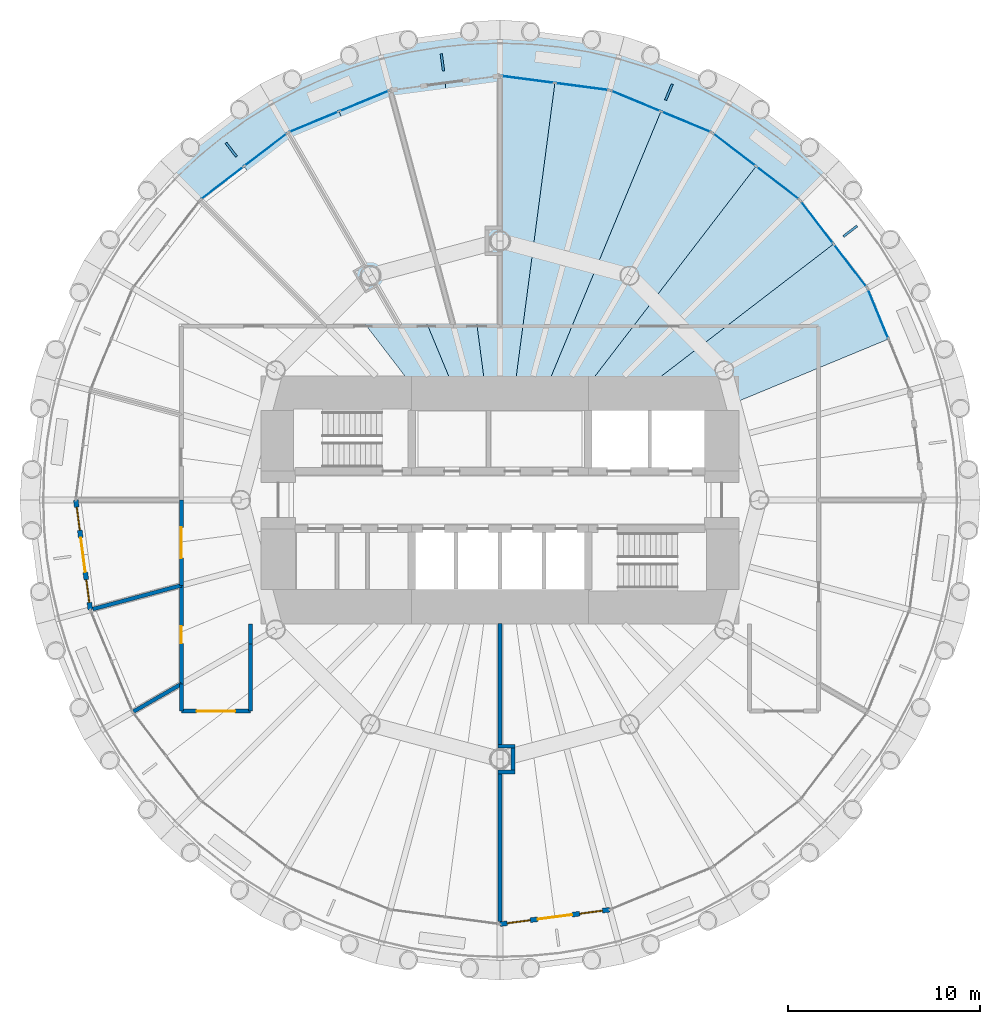
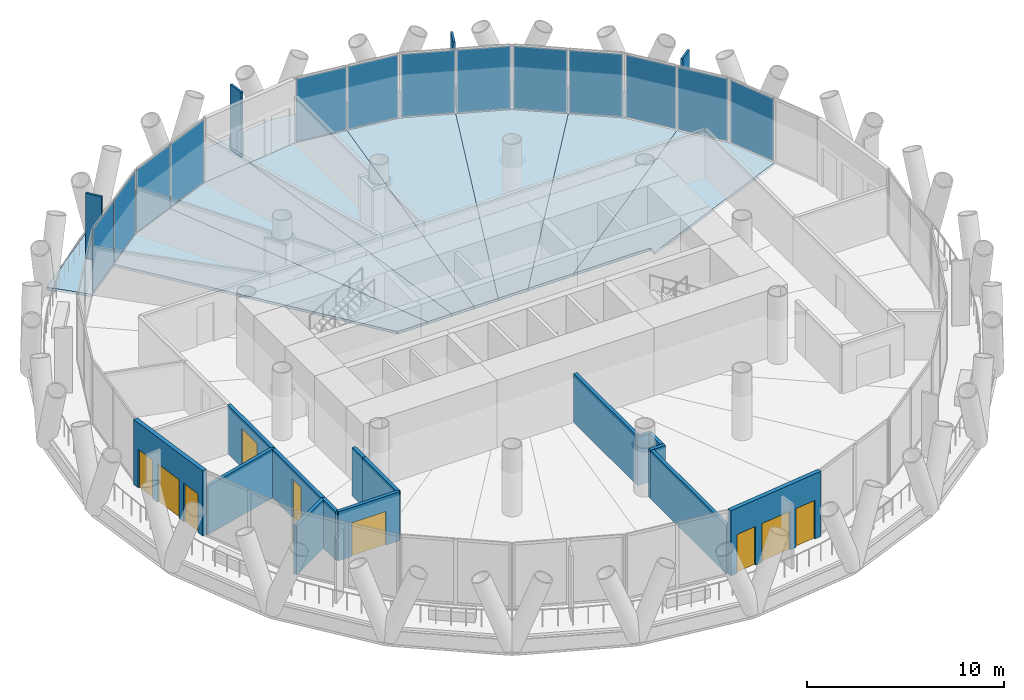
# One storey, part 8 of 15: 17 plates, 15 walls, 8 slabs, 5 doors, 4 windows, 9 openings, 7 elements without a shape of their own.
"""IFC4 building model written with IfcOpenShell, lengths in metres."""

import ifcopenshell
import ifcopenshell.guid

model = None  # the IFC model being written
_history = None  # IfcOwnerHistory: only IFC2X3 demands one
_inside = {}  # id of a spatial element -> (the spatial element, [elements in it])
_under = {}  # id of a project, library or spatial element -> (it, [spatial elements below it])
_declared = {}  # id of a project -> (the project, [libraries it declares])
_typed = {}  # id of a type object -> (the type object, [elements of that type])
_made_of = {}  # id of a material, layer set ... -> (it, [elements and type objects made of it])


def new_model(schema):
    """Start an empty IFC model of exactly this schema.

    Asked for "IFC4X3", IfcOpenShell would pick the latest addendum, in which some entities
    have other attributes; the version numbers below select the first issue.
    IFC2X3 requires an IfcOwnerHistory on every rooted entity: one is made here for all.
    """
    global model, _history
    if schema == "IFC4X3":
        model = ifcopenshell.file(schema_version=(4, 3, 0, 0))
    else:
        model = ifcopenshell.file(schema=schema)
    _inside.clear()
    _under.clear()
    _declared.clear()
    _typed.clear()
    _made_of.clear()
    _history = None
    if model.schema == "IFC2X3":
        org = make("IfcOrganization", Name="unknown")
        user = make(
            "IfcPersonAndOrganization",
            ThePerson=make("IfcPerson", FamilyName="unknown"),
            TheOrganization=org,
        )
        app = make(
            "IfcApplication",
            ApplicationDeveloper=org,
            Version="unknown",
            ApplicationFullName="unknown",
            ApplicationIdentifier="unknown",
        )
        _history = make(
            "IfcOwnerHistory",
            OwningUser=user,
            OwningApplication=app,
            ChangeAction="ADDED",
            CreationDate=0,
        )
    return model


def make(cls, **values):
    """One entity of the class cls with the attributes given. An attribute that is None is left unset."""
    return model.create_entity(
        cls, **{name: value for name, value in values.items() if value is not None}
    )


def rooted(cls, **values):
    """An entity with a GlobalId (a new one), such as an element, a storey or a relation."""
    return make(cls, GlobalId=ifcopenshell.guid.new(), OwnerHistory=_history, **values)


def si_unit(unit_type, name, prefix=None):
    """IfcSIUnit, for example si_unit("LENGTHUNIT", "METRE", prefix="MILLI")."""
    return make("IfcSIUnit", UnitType=unit_type, Prefix=prefix, Name=name)


def assignment(units):
    """IfcUnitAssignment: the units of a project."""
    return None if units is None else make("IfcUnitAssignment", Units=units)


def point(xyz):
    """IfcCartesianPoint."""
    return None if xyz is None else make("IfcCartesianPoint", Coordinates=xyz)


def direction(xyz):
    """IfcDirection."""
    return None if xyz is None else make("IfcDirection", DirectionRatios=xyz)


def frame(location, z_axis=None, x_axis=None):
    """IfcAxis2Placement3D, a coordinate frame: its origin and axes. An axis left out is left unset."""
    return make(
        "IfcAxis2Placement3D",
        Location=point(location),
        Axis=direction(z_axis),
        RefDirection=direction(x_axis),
    )


def frame_2d(location, x_axis=None):
    """IfcAxis2Placement2D, a coordinate frame in the plane: its origin and x axis."""
    return make(
        "IfcAxis2Placement2D", Location=point(location), RefDirection=direction(x_axis)
    )


def origin():
    """The frame at (0, 0, 0) with its axes left unset."""
    return frame((0.0, 0.0, 0.0))


def origin_2d():
    """The frame at (0, 0) in the plane with its x axis left unset."""
    return frame_2d((0.0, 0.0))


def place(relative_to, where):
    """IfcLocalPlacement: puts the frame where relative to a parent placement (None: the world)."""
    return make(
        "IfcLocalPlacement", PlacementRelTo=relative_to, RelativePlacement=where
    )


def context(
    kind, dimensions, precision=None, world=None, true_north=None, identifier=None
):
    """IfcGeometricRepresentationContext, for example the 3D "Model" context."""
    return make(
        "IfcGeometricRepresentationContext",
        ContextIdentifier=identifier,
        ContextType=kind,
        CoordinateSpaceDimension=dimensions,
        Precision=precision,
        WorldCoordinateSystem=world,
        TrueNorth=true_north,
    )


def subcontext(parent, identifier, kind, view, scale=None):
    """IfcGeometricRepresentationSubContext, for example "Body" below "Model"."""
    return make(
        "IfcGeometricRepresentationSubContext",
        ContextIdentifier=identifier,
        ContextType=kind,
        ParentContext=parent,
        TargetScale=scale,
        TargetView=view,
    )


def project(units=None, contexts=None):
    """IfcProject with its units and contexts."""
    return rooted(
        "IfcProject",
        Name="project",
        RepresentationContexts=contexts,
        UnitsInContext=assignment(units),
    )


def spatial(cls, under=None, at=None, **own):
    """A site, building, storey or space (cls), placed at a placement, below another one or the project."""
    s = rooted(cls, ObjectPlacement=at, **own)
    if under is not None:
        _under.setdefault(under.id(), (under, []))[1].append(s)
    return s


def polyline(points):
    """IfcPolyline through the points."""
    return make("IfcPolyline", Points=[point(p) for p in points])


def profile(cls, at=None, kind="AREA", **sizes):
    """A parametric profile (cls). Its sizes go by their IFC names, for example OverallWidth=200.0."""
    return make(cls, ProfileType=kind, Position=at, **sizes)


def rectangle(**sizes):
    """IfcRectangleProfileDef."""
    return profile("IfcRectangleProfileDef", **sizes)


def outline(outer, holes=None, kind="AREA"):
    """IfcArbitraryClosedProfileDef: a profile drawn as a closed curve; with holes, ...WithVoids."""
    if holes is None:
        return make("IfcArbitraryClosedProfileDef", ProfileType=kind, OuterCurve=outer)
    return make(
        "IfcArbitraryProfileDefWithVoids",
        ProfileType=kind,
        OuterCurve=outer,
        InnerCurves=holes,
    )


def extrude(swept, where, along, depth):
    """IfcExtrudedAreaSolid: the profile swept, set in the frame where, extruded along a direction by depth."""
    return make(
        "IfcExtrudedAreaSolid",
        SweptArea=swept,
        Position=where,
        ExtrudedDirection=direction(along),
        Depth=depth,
    )


def shape(context_of_items, identifier, shape_type, items):
    """IfcShapeRepresentation: the items that make up one representation, for example the "Body"."""
    return make(
        "IfcShapeRepresentation",
        ContextOfItems=context_of_items,
        RepresentationIdentifier=identifier,
        RepresentationType=shape_type,
        Items=items,
    )


def material(Name=None, Category=None):
    """IfcMaterial."""
    return make("IfcMaterial", Name=Name, Category=Category)


def layer(
    of_material, thickness, ventilated=None, Name=None, Category=None, Priority=None
):
    """IfcMaterialLayer: one layer of a wall or slab, of a material (None: an air gap)."""
    return make(
        "IfcMaterialLayer",
        Material=of_material,
        LayerThickness=thickness,
        IsVentilated=ventilated,
        Name=Name,
        Category=Category,
        Priority=Priority,
    )


def layer_set(layers, Name=None):
    """IfcMaterialLayerSet."""
    return make("IfcMaterialLayerSet", MaterialLayers=layers, LayerSetName=Name)


def made_of(thing, what):
    """Note that an element or type object is made of a material, layer set ...; save() writes the relation."""
    if what is not None:
        _made_of.setdefault(what.id(), (what, []))[1].append(thing)
    return thing


def type_object(cls, material=None, **own):
    """A type object (cls), such as IfcWallType, which elements share."""
    return made_of(rooted(cls, **own), material)


def element(
    cls,
    number,
    at=None,
    inside=None,
    cuts=None,
    type_object=None,
    material=None,
    context=None,
    identifier="Body",
    shape_type=None,
    held_by="IfcProductDefinitionShape",
    body=None,
    shapes=None,
    **own,
):
    """One element of the class cls, such as IfcWall. Its Tag is "e" and its number.

    at: its placement. inside: the storey or other place that contains it. cuts: it is an
    opening in that element (IfcRelVoidsElement). A single representation is given by context,
    identifier, shape_type and body (its items); several are given by shapes. held_by: the class
    of the entity that holds the representations. save() writes the other relations.
    """
    e = rooted(cls, Tag="e%d" % number, ObjectPlacement=at, **own)
    if body is not None:
        shapes = [shape(context, identifier, shape_type, body)]
    if shapes is not None:
        e.Representation = make(held_by, Representations=shapes)
    if inside is not None:
        _inside.setdefault(inside.id(), (inside, []))[1].append(e)
    if cuts is not None:
        rooted(
            "IfcRelVoidsElement", RelatingBuildingElement=cuts, RelatedOpeningElement=e
        )
    if type_object is not None:
        _typed.setdefault(type_object.id(), (type_object, []))[1].append(e)
    return made_of(e, material)


def fill(opening, filler):
    """IfcRelFillsElement: the door or window that sits in an opening."""
    return rooted(
        "IfcRelFillsElement",
        RelatingOpeningElement=opening,
        RelatedBuildingElement=filler,
    )


def aggregate(whole, parts):
    """IfcRelAggregates: a whole, such as a stair, and the parts it consists of."""
    return rooted("IfcRelAggregates", RelatingObject=whole, RelatedObjects=parts)


def save(model, path):
    """Write the relations noted so far, then the file.

    IfcRelAggregates (storeys below a building ...), IfcRelContainedInSpatialStructure (elements
    in a storey), IfcRelDefinesByType, IfcRelAssociatesMaterial and IfcRelDeclares: one each for
    every whole, place, type object, material and project.
    """
    for whole, parts in _under.values():
        aggregate(whole, parts)
    for where, things in _inside.values():
        rooted(
            "IfcRelContainedInSpatialStructure",
            RelatedElements=things,
            RelatingStructure=where,
        )
    for kind, things in _typed.values():
        rooted("IfcRelDefinesByType", RelatedObjects=things, RelatingType=kind)
    for what, things in _made_of.values():
        rooted("IfcRelAssociatesMaterial", RelatedObjects=things, RelatingMaterial=what)
    for by, libraries in _declared.values():
        rooted("IfcRelDeclares", RelatingContext=by, RelatedDefinitions=libraries)
    model.write(path)


model = new_model("IFC4")

# Units and contexts
model_context = context("Model", 3, precision=1e-05, world=origin(), true_north=direction((0.0, 1.0)))
body_context = subcontext(model_context, "Body", "Model", "MODEL_VIEW")
ifc_project = project(units=[si_unit("LENGTHUNIT", "METRE"), si_unit("AREAUNIT", "SQUARE_METRE"), si_unit("VOLUMEUNIT", "CUBIC_METRE"), si_unit("PLANEANGLEUNIT", "RADIAN"), si_unit("MASSUNIT", "GRAM", prefix="KILO")], contexts=[model_context])

# Site, building, storey
site_placement = place(None, origin())
site = spatial("IfcSite", under=ifc_project, at=site_placement, CompositionType="ELEMENT")
building_placement = place(site_placement, origin())
building = spatial("IfcBuilding", under=site, at=building_placement, Name="Qaws Media Tower", CompositionType="ELEMENT")
storey_placement = place(building_placement, frame((0.0, 0.0, 177.199951171875)))
storey = spatial("IfcBuildingStorey", under=building, at=storey_placement, Name="L40", CompositionType="ELEMENT", Elevation=177.199951171875)

# Slabs
ifc_material_1 = material(Name="Concrete C35/45", Category="concrete")
ifc_layer_1 = layer(ifc_material_1, 0.159912109375)
ifc_layer_set_1 = layer_set([ifc_layer_1], Name="Composite balcony slab 160")
slab_type_1 = type_object("IfcSlabType", Name="Composite balcony slab 160", PredefinedType="FLOOR", material=ifc_layer_set_1)
slab_1_placement = place(storey_placement, frame((0.0, 0.0, -0.159912109375)))
element("IfcSlab", 1, at=slab_1_placement, inside=storey, type_object=slab_type_1, Name="S2 balcony slab L40 R04 to R10, movement joints on R04 and R10", PredefinedType="FLOOR", context=body_context, shape_type="SweptSolid", body=[
    extrude(outline(polyline([(42.67578125, 67.32421875), (47.75, 71.217529296875), (53.658935546875, 73.665283203125), (60.0, 74.5), (66.341064453125, 73.665283203125), (72.25, 71.217529296875), (77.32421875, 67.32421875), (75.627197265625, 65.627197265625), (71.050048828125, 69.13916015625), (65.719970703125, 71.346923828125), (60.0, 72.10009765625), (54.280029296875, 71.346923828125), (48.949951171875, 69.13916015625), (44.372802734375, 65.627197265625), (42.67578125, 67.32421875)])), origin(), (0.0, 0.0, 1.0), 0.159912109375),
])
ifc_material_2 = material(Name="Concrete C35/45", Category="concrete")
ifc_layer_2 = layer(ifc_material_2, 0.159912109375)
ifc_layer_set_2 = layer_set([ifc_layer_2], Name="Composite floor slab 160")
slab_type_2 = type_object("IfcSlabType", Name="Composite floor slab 160", PredefinedType="FLOOR", material=ifc_layer_set_2)
slab_2_placement = place(storey_placement, frame((0.0, 0.0, -0.159912109375)))
element("IfcSlab", 2, at=slab_2_placement, inside=storey, type_object=slab_type_2, Name="S1 floor panel L40 on R03", PredefinedType="FLOOR", context=body_context, shape_type="SweptSolid", body=[
    extrude(outline(polyline([(79.13916015625, 61.050048828125), (80.2431640625, 58.385009765625), (71.0, 54.556396484375), (71.0, 55.0), (66.51611328125, 55.0), (77.383056640625, 63.33837890625), (79.13916015625, 61.050048828125)])), origin(), (0.0, 0.0, 1.0), 0.159912109375),
])
slab_3_placement = place(storey_placement, frame((0.0, 0.0, -0.159912109375)))
element("IfcSlab", 3, at=slab_3_placement, inside=storey, type_object=slab_type_2, Name="S1 floor panel L40 on R04", PredefinedType="FLOOR", context=body_context, shape_type="SweptSolid", body=[
    extrude(outline(polyline([(75.627197265625, 65.627197265625), (77.383056640625, 63.33837890625), (66.51611328125, 55.0), (63.836669921875, 55.0), (73.33837890625, 67.383056640625), (75.627197265625, 65.627197265625)])), origin(), (0.0, 0.0, 1.0), 0.159912109375),
])
slab_4_placement = place(storey_placement, frame((0.0, 0.0, -0.159912109375)))
element("IfcSlab", 4, at=slab_4_placement, inside=storey, type_object=slab_type_2, Name="S1 floor panel L40 on R05", PredefinedType="FLOOR", context=body_context, shape_type="SweptSolid", body=[
    extrude(outline(polyline([(71.050048828125, 69.13916015625), (73.33837890625, 67.383056640625), (63.836669921875, 55.0), (62.071044921875, 55.0), (68.385009765625, 70.2431640625), (71.050048828125, 69.13916015625)])), origin(), (0.0, 0.0, 1.0), 0.159912109375),
])
slab_5_placement = place(storey_placement, frame((0.0, 0.0, -0.159912109375)))
element("IfcSlab", 5, at=slab_5_placement, inside=storey, type_object=slab_type_2, Name="S1 floor panel L40 on R06", PredefinedType="FLOOR", context=body_context, shape_type="SweptSolid", body=[
    extrude(outline(polyline([(65.719970703125, 71.346923828125), (68.385009765625, 70.2431640625), (62.071044921875, 55.0), (60.658203125, 55.0), (62.860107421875, 71.723388671875), (65.719970703125, 71.346923828125)])), origin(), (0.0, 0.0, 1.0), 0.159912109375),
])
slab_6_placement = place(storey_placement, frame((0.0, 0.0, -0.159912109375)))
element("IfcSlab", 6, at=slab_6_placement, inside=storey, type_object=slab_type_2, Name="S1 floor panel L40 on R07", PredefinedType="FLOOR", context=body_context, shape_type="SweptSolid", body=[
    extrude(outline(polyline([(60.0, 72.10009765625), (62.860107421875, 71.723388671875), (60.658203125, 55.0), (59.341796875, 55.0), (57.139892578125, 71.723388671875), (60.0, 72.10009765625)])), origin(), (0.0, 0.0, 1.0), 0.159912109375),
])
slab_7_placement = place(storey_placement, frame((0.0, 0.0, -0.159912109375)))
element("IfcSlab", 7, at=slab_7_placement, inside=storey, type_object=slab_type_2, Name="S1 floor panel L40 on R08", PredefinedType="FLOOR", context=body_context, shape_type="SweptSolid", body=[
    extrude(outline(polyline([(54.280029296875, 71.346923828125), (57.139892578125, 71.723388671875), (59.341796875, 55.0), (57.928955078125, 55.0), (51.614990234375, 70.2431640625), (54.280029296875, 71.346923828125)])), origin(), (0.0, 0.0, 1.0), 0.159912109375),
])
slab_8_placement = place(storey_placement, frame((0.0, 0.0, -0.159912109375)))
element("IfcSlab", 8, at=slab_8_placement, inside=storey, type_object=slab_type_2, Name="S1 floor panel L40 on R09", PredefinedType="FLOOR", context=body_context, shape_type="SweptSolid", body=[
    extrude(outline(polyline([(48.949951171875, 69.13916015625), (51.614990234375, 70.2431640625), (57.928955078125, 55.0), (56.163330078125, 55.0), (46.66162109375, 67.383056640625), (48.949951171875, 69.13916015625)])), origin(), (0.0, 0.0, 1.0), 0.159912109375),
])

# Curtain wall, plate
ifc_material_3 = material(Name="Aluminium and clear glass", Category="aluminium")
curtain_wall_type = type_object("IfcCurtainWallType", Name="Unitised curtain wall CW-B", PredefinedType="NOTDEFINED", material=ifc_material_3)
curtain_wall_1_placement = place(storey_placement, origin())
curtain_wall_1 = element("IfcCurtainWall", 9, at=curtain_wall_1_placement, inside=storey, type_object=curtain_wall_type, Name="CWB curtain wall L40-02", PredefinedType="NOTDEFINED")
ifc_material_4 = material(Name="Clear laminated double glazing", Category="glass")
ifc_layer_3 = layer(ifc_material_4, 0.031982421875)
ifc_layer_set_3 = layer_set([ifc_layer_3], Name="Curtain wall glass unit 32")
plate_type_1 = type_object("IfcPlateType", Name="Curtain wall glass unit 32", PredefinedType="CURTAIN_PANEL", material=ifc_layer_set_3)
plate_1_placement = place(storey_placement, frame((79.69873046875, 59.698974609375, 0.080078125), z_axis=(0.0, 0.0, 1.0), x_axis=(-0.382683536724, 0.923879489284, 0.0)))
plate_1 = element("IfcPlate", 10, at=plate_1_placement, type_object=plate_type_1, Name="CWB panel 2.1", PredefinedType="CURTAIN_PANEL", context=body_context, shape_type="SweptSolid", body=[
    extrude(rectangle(XDim=2.7646484375, YDim=0.031982421875, at=origin_2d()), origin(), (0.0, 0.0, 1.0), 3.8798828125),
])
aggregate(curtain_wall_1, [plate_1])

# Curtain wall, plates
curtain_wall_2_placement = place(storey_placement, origin())
curtain_wall_2 = element("IfcCurtainWall", 11, at=curtain_wall_2_placement, inside=storey, type_object=curtain_wall_type, Name="CWB curtain wall L40-03", PredefinedType="NOTDEFINED")
plate_2_placement = place(storey_placement, frame((78.2490234375, 62.210205078125, 0.080078125), z_axis=(0.0, 0.0, 1.0), x_axis=(-0.608761356619, 0.793353395838, 0.0)))
plate_2 = element("IfcPlate", 12, at=plate_2_placement, type_object=plate_type_1, Name="CWB panel 1.1", PredefinedType="CURTAIN_PANEL", context=body_context, shape_type="SweptSolid", body=[
    extrude(rectangle(XDim=2.7646484375, YDim=0.031982421875, at=origin_2d()), origin(), (0.0, 0.0, 1.0), 3.8798828125),
])
plate_3_placement = place(storey_placement, frame((76.517333984375, 64.467041015625, 0.080078125), z_axis=(0.0, 0.0, 1.0), x_axis=(-0.608761356619, 0.793353395838, 0.0)))
plate_3 = element("IfcPlate", 13, at=plate_3_placement, type_object=plate_type_1, Name="CWB panel 2.1", PredefinedType="CURTAIN_PANEL", context=body_context, shape_type="SweptSolid", body=[
    extrude(rectangle(XDim=2.7646484375, YDim=0.031982421875, at=origin_2d()), origin(), (0.0, 0.0, 1.0), 3.8798828125),
])
aggregate(curtain_wall_2, [plate_2, plate_3])

curtain_wall_3_placement = place(storey_placement, origin())
curtain_wall_3 = element("IfcCurtainWall", 14, at=curtain_wall_3_placement, inside=storey, type_object=curtain_wall_type, Name="CWB curtain wall L40-04", PredefinedType="NOTDEFINED")
plate_4_placement = place(storey_placement, frame((74.467041015625, 66.517333984375, 0.080078125), z_axis=(0.0, 0.0, 1.0), x_axis=(-0.793353395838, 0.608761356619, 0.0)))
plate_4 = element("IfcPlate", 15, at=plate_4_placement, type_object=plate_type_1, Name="CWB panel 1.1", PredefinedType="CURTAIN_PANEL", context=body_context, shape_type="SweptSolid", body=[
    extrude(rectangle(XDim=2.7646484375, YDim=0.031982421875, at=origin_2d()), origin(), (0.0, 0.0, 1.0), 3.8798828125),
])
plate_5_placement = place(storey_placement, frame((72.210205078125, 68.2490234375, 0.080078125), z_axis=(0.0, 0.0, 1.0), x_axis=(-0.793353395838, 0.608761356619, 0.0)))
plate_5 = element("IfcPlate", 16, at=plate_5_placement, type_object=plate_type_1, Name="CWB panel 2.1", PredefinedType="CURTAIN_PANEL", context=body_context, shape_type="SweptSolid", body=[
    extrude(rectangle(XDim=2.7646484375, YDim=0.031982421875, at=origin_2d()), origin(), (0.0, 0.0, 1.0), 3.8798828125),
])
aggregate(curtain_wall_3, [plate_4, plate_5])

curtain_wall_4_placement = place(storey_placement, origin())
curtain_wall_4 = element("IfcCurtainWall", 17, at=curtain_wall_4_placement, inside=storey, type_object=curtain_wall_type, Name="CWB curtain wall L40-05", PredefinedType="NOTDEFINED")
plate_6_placement = place(storey_placement, frame((69.698974609375, 69.69873046875, 0.080078125), z_axis=(0.0, 0.0, 1.0), x_axis=(-0.923879489284, 0.382683536724, 0.0)))
plate_6 = element("IfcPlate", 18, at=plate_6_placement, type_object=plate_type_1, Name="CWB panel 1.1", PredefinedType="CURTAIN_PANEL", context=body_context, shape_type="SweptSolid", body=[
    extrude(rectangle(XDim=2.7646484375, YDim=0.031982421875, at=origin_2d()), origin(), (0.0, 0.0, 1.0), 3.8798828125),
])
plate_7_placement = place(storey_placement, frame((67.07080078125, 70.787353515625, 0.080078125), z_axis=(0.0, 0.0, 1.0), x_axis=(-0.923879489284, 0.382683536724, 0.0)))
plate_7 = element("IfcPlate", 19, at=plate_7_placement, type_object=plate_type_1, Name="CWB panel 2.1", PredefinedType="CURTAIN_PANEL", context=body_context, shape_type="SweptSolid", body=[
    extrude(rectangle(XDim=2.7646484375, YDim=0.031982421875, at=origin_2d()), origin(), (0.0, 0.0, 1.0), 3.8798828125),
])
aggregate(curtain_wall_4, [plate_6, plate_7])

curtain_wall_5_placement = place(storey_placement, origin())
curtain_wall_5 = element("IfcCurtainWall", 20, at=curtain_wall_5_placement, inside=storey, type_object=curtain_wall_type, Name="CWB curtain wall L40-06", PredefinedType="NOTDEFINED")
plate_8_placement = place(storey_placement, frame((64.27001953125, 71.537841796875, 0.080078125), z_axis=(0.0, 0.0, 1.0), x_axis=(-0.991444867039, 0.130526149185, 0.0)))
plate_8 = element("IfcPlate", 21, at=plate_8_placement, type_object=plate_type_1, Name="CWB panel 1.1", PredefinedType="CURTAIN_PANEL", context=body_context, shape_type="SweptSolid", body=[
    extrude(rectangle(XDim=2.7646484375, YDim=0.031982421875, at=origin_2d()), origin(), (0.0, 0.0, 1.0), 3.8798828125),
])
plate_9_placement = place(storey_placement, frame((61.44970703125, 71.9091796875, 0.080078125), z_axis=(0.0, 0.0, 1.0), x_axis=(-0.991444867039, 0.130526149185, 0.0)))
plate_9 = element("IfcPlate", 22, at=plate_9_placement, type_object=plate_type_1, Name="CWB panel 2.1", PredefinedType="CURTAIN_PANEL", context=body_context, shape_type="SweptSolid", body=[
    extrude(rectangle(XDim=2.7646484375, YDim=0.031982421875, at=origin_2d()), origin(), (0.0, 0.0, 1.0), 3.8798828125),
])
aggregate(curtain_wall_5, [plate_8, plate_9])

curtain_wall_6_placement = place(storey_placement, origin())
curtain_wall_6 = element("IfcCurtainWall", 23, at=curtain_wall_6_placement, inside=storey, type_object=curtain_wall_type, Name="CWB curtain wall L40-08", PredefinedType="NOTDEFINED")
plate_10_placement = place(storey_placement, frame((52.92919921875, 70.787353515625, 0.080078125), z_axis=(0.0, 0.0, 1.0), x_axis=(-0.923879489284, -0.382683536724, 0.0)))
plate_10 = element("IfcPlate", 24, at=plate_10_placement, type_object=plate_type_1, Name="CWB panel 1.1", PredefinedType="CURTAIN_PANEL", context=body_context, shape_type="SweptSolid", body=[
    extrude(rectangle(XDim=2.7646484375, YDim=0.031982421875, at=origin_2d()), origin(), (0.0, 0.0, 1.0), 3.8798828125),
])
plate_11_placement = place(storey_placement, frame((50.301025390625, 69.69873046875, 0.080078125), z_axis=(0.0, 0.0, 1.0), x_axis=(-0.923879489284, -0.382683536724, 0.0)))
plate_11 = element("IfcPlate", 25, at=plate_11_placement, type_object=plate_type_1, Name="CWB panel 2.1", PredefinedType="CURTAIN_PANEL", context=body_context, shape_type="SweptSolid", body=[
    extrude(rectangle(XDim=2.7646484375, YDim=0.031982421875, at=origin_2d()), origin(), (0.0, 0.0, 1.0), 3.8798828125),
])
aggregate(curtain_wall_6, [plate_10, plate_11])

curtain_wall_7_placement = place(storey_placement, origin())
curtain_wall_7 = element("IfcCurtainWall", 26, at=curtain_wall_7_placement, inside=storey, type_object=curtain_wall_type, Name="CWB curtain wall L40-09", PredefinedType="NOTDEFINED")
plate_12_placement = place(storey_placement, frame((47.789794921875, 68.2490234375, 0.080078125), z_axis=(0.0, 0.0, 1.0), x_axis=(-0.793353395838, -0.608761356619, 0.0)))
plate_12 = element("IfcPlate", 27, at=plate_12_placement, type_object=plate_type_1, Name="CWB panel 1.1", PredefinedType="CURTAIN_PANEL", context=body_context, shape_type="SweptSolid", body=[
    extrude(rectangle(XDim=2.7646484375, YDim=0.031982421875, at=origin_2d()), origin(), (0.0, 0.0, 1.0), 3.8798828125),
])
plate_13_placement = place(storey_placement, frame((45.532958984375, 66.517333984375, 0.080078125), z_axis=(0.0, 0.0, 1.0), x_axis=(-0.793353395838, -0.608761356619, 0.0)))
plate_13 = element("IfcPlate", 28, at=plate_13_placement, type_object=plate_type_1, Name="CWB panel 2.1", PredefinedType="CURTAIN_PANEL", context=body_context, shape_type="SweptSolid", body=[
    extrude(rectangle(XDim=2.7646484375, YDim=0.031982421875, at=origin_2d()), origin(), (0.0, 0.0, 1.0), 3.8798828125),
])
aggregate(curtain_wall_7, [plate_12, plate_13])

# Plates
ifc_material_5 = material(Name="Precast concrete screen fin", Category="concrete")
ifc_layer_4 = layer(ifc_material_5, 0.1201171875)
ifc_layer_set_4 = layer_set([ifc_layer_4], Name="Screen fin 120x900")
plate_type_2 = type_object("IfcPlateType", Name="Screen fin 120x900", PredefinedType="USERDEFINED", material=ifc_layer_set_4)
for number, where, z_axis, x_axis, name in (
    (29, (78.2470703125, 64.00146484375, 0.0), (0.0, 0.0, 1.0), (0.793353340291, 0.608761429009, 0.0), "SCR1 screen fin L40-02"),
    (30, (68.8017578125, 71.249267578125, 0.0), (0.0, 0.0, 1.0), (0.382683432365, 0.923879532511, 0.0), "SCR1 screen fin L40-03"),
    (31, (56.997802734375, 72.80322265625, 0.0), (0.0, 0.0, 1.0), (-0.13052619222, 0.991444861374, 0.0), "SCR1 screen fin L40-04"),
    (32, (45.99853515625, 68.2470703125, 0.0), (0.0, 0.0, 1.0), (-0.608761429009, 0.793353340291, 0.0), "SCR1 screen fin L40-05"),
):
    element("IfcPlate", number, at=place(storey_placement, frame(where, z_axis=z_axis, x_axis=x_axis)), inside=storey, type_object=plate_type_2, Name=name, ObjectType="SCREEN", PredefinedType="USERDEFINED", context=body_context, shape_type="SweptSolid", body=[
        extrude(rectangle(XDim=0.89990234375, YDim=0.1201171875, at=origin_2d()), origin(), (0.0, 0.0, 1.0), 4.0400390625),
    ])

# Wall, openings, door, windows
ifc_material_6 = material(Name="Precast concrete, exposed finish", Category="concrete")
ifc_layer_5 = layer(ifc_material_6, 0.25)
ifc_layer_set_5 = layer_set([ifc_layer_5], Name="Balcony door wall 250")
wall_type_1 = type_object("IfcWallType", Name="Balcony door wall 250", PredefinedType="SOLIDWALL", material=ifc_layer_set_5)
wall_1_placement = place(storey_placement, frame((37.89990234375, 50.0, 0.0), z_axis=(0.0, 0.0, 1.0), x_axis=(0.130547557269, -0.991442048378, 0.0)))
wall_1 = element("IfcWall", 33, at=wall_1_placement, inside=storey, type_object=wall_type_1, Name="W218 EW1 balcony door wall L40-13", PredefinedType="SOLIDWALL", context=body_context, shape_type="SweptSolid", body=[
    extrude(rectangle(XDim=5.769287109375, YDim=0.25, at=frame_2d((2.884765625, 0.0))), origin(), (0.0, 0.0, 1.0), 4.0400390625),
])
opening_1_placement = place(wall_1_placement, frame((1.984619140625, 0.0, 0.0)))
opening_1 = element("IfcOpeningElement", 34, at=opening_1_placement, cuts=wall_1, Name="Opening D7", PredefinedType="OPENING", context=body_context, shape_type="SweptSolid", body=[
    extrude(rectangle(XDim=1.800048828125, YDim=2.39990234375, at=frame_2d((0.89990234375, 1.199951171875))), frame((0.0, 0.135009765625, 0.0), z_axis=(0.0, -1.0, 0.0), x_axis=(1.0, 0.0, 0.0)), (0.0, 0.0, 1.0), 0.27001953125),
])
opening_2_placement = place(wall_1_placement, frame((0.384521484375, 0.0, 0.0)))
opening_2 = element("IfcOpeningElement", 35, at=opening_2_placement, cuts=wall_1, Name="Opening W1", PredefinedType="OPENING", context=body_context, shape_type="SweptSolid", body=[
    extrude(rectangle(XDim=1.199951171875, YDim=2.39990234375, at=frame_2d((0.60009765625, 1.199951171875))), frame((0.0, 0.135009765625, 0.0), z_axis=(0.0, -1.0, 0.0), x_axis=(1.0, 0.0, 0.0)), (0.0, 0.0, 1.0), 0.27001953125),
])
opening_3_placement = place(wall_1_placement, frame((4.1845703125, 0.0, 0.0)))
opening_3 = element("IfcOpeningElement", 36, at=opening_3_placement, cuts=wall_1, Name="Opening W1", PredefinedType="OPENING", context=body_context, shape_type="SweptSolid", body=[
    extrude(rectangle(XDim=1.199951171875, YDim=2.39990234375, at=frame_2d((0.60009765625, 1.199951171875))), frame((0.0, 0.135009765625, 0.0), z_axis=(0.0, -1.0, 0.0), x_axis=(1.0, 0.0, 0.0)), (0.0, 0.0, 1.0), 0.27001953125),
])
ifc_material_7 = material(Name="Aluminium and clear glass", Category="aluminium")
door_type_1 = type_object("IfcDoorType", Name="Balcony door pair 1800", OperationType="DOUBLE_DOOR_SLIDING", PredefinedType="DOOR", material=ifc_material_7)
door_1_placement = place(opening_1_placement, origin())
door_1 = element("IfcDoor", 37, at=door_1_placement, inside=storey, type_object=door_type_1, Name="D7 balcony door L40-13 in wall W218", OperationType="DOUBLE_DOOR_SLIDING", OverallHeight=2.39990234375, OverallWidth=1.800048828125, PredefinedType="DOOR", context=body_context, shape_type="SweptSolid", body=[
    extrude(rectangle(XDim=1.800048828125, YDim=2.39990234375, at=frame_2d((0.89990234375, 1.199951171875))), frame((0.0, 0.02490234375, 0.0), z_axis=(0.0, -1.0, 0.0), x_axis=(1.0, 0.0, 0.0)), (0.0, 0.0, 1.0), 0.050048828125),
])
fill(opening_1, door_1)
ifc_material_8 = material(Name="Aluminium and clear glass", Category="aluminium")
window_type = type_object("IfcWindowType", Name="Balcony side window 1200", PartitioningType="SINGLE_PANEL", PredefinedType="WINDOW", material=ifc_material_8)
window_1_placement = place(opening_2_placement, origin())
window_1 = element("IfcWindow", 38, at=window_1_placement, inside=storey, type_object=window_type, Name="W1 balcony side light L40-13L", OverallHeight=2.39990234375, OverallWidth=1.199951171875, PartitioningType="SINGLE_PANEL", PredefinedType="WINDOW", context=body_context, shape_type="SweptSolid", body=[
    extrude(rectangle(XDim=1.199951171875, YDim=2.39990234375, at=frame_2d((0.60009765625, 1.199951171875))), frame((0.0, 0.030029296875, 0.0), z_axis=(0.0, -1.0, 0.0), x_axis=(1.0, 0.0, 0.0)), (0.0, 0.0, 1.0), 0.06005859375),
])
fill(opening_2, window_1)
window_2_placement = place(opening_3_placement, origin())
window_2 = element("IfcWindow", 39, at=window_2_placement, inside=storey, type_object=window_type, Name="W1 balcony side light L40-13R", OverallHeight=2.39990234375, OverallWidth=1.199951171875, PartitioningType="SINGLE_PANEL", PredefinedType="WINDOW", context=body_context, shape_type="SweptSolid", body=[
    extrude(rectangle(XDim=1.199951171875, YDim=2.39990234375, at=frame_2d((0.60009765625, 1.199951171875))), frame((0.0, 0.030029296875, 0.0), z_axis=(0.0, -1.0, 0.0), x_axis=(1.0, 0.0, 0.0)), (0.0, 0.0, 1.0), 0.06005859375),
])
fill(opening_3, window_2)

wall_2_placement = place(storey_placement, frame((60.0, 27.89990234375, 0.0), z_axis=(0.0, 0.0, 1.0), x_axis=(0.991442048378, 0.130547557269, 0.0)))
wall_2 = element("IfcWall", 40, at=wall_2_placement, inside=storey, type_object=wall_type_1, Name="W219 EW1 balcony door wall L40-19", PredefinedType="SOLIDWALL", context=body_context, shape_type="SweptSolid", body=[
    extrude(rectangle(XDim=5.769287109375, YDim=0.25, at=frame_2d((2.884765625, 0.0))), origin(), (0.0, 0.0, 1.0), 4.0400390625),
])
opening_4_placement = place(wall_2_placement, frame((1.984619140625, 0.0, 0.0)))
opening_4 = element("IfcOpeningElement", 41, at=opening_4_placement, cuts=wall_2, Name="Opening D7", PredefinedType="OPENING", context=body_context, shape_type="SweptSolid", body=[
    extrude(rectangle(XDim=1.800048828125, YDim=2.39990234375, at=frame_2d((0.89990234375, 1.199951171875))), frame((0.0, 0.135009765625, 0.0), z_axis=(0.0, -1.0, 0.0), x_axis=(1.0, 0.0, 0.0)), (0.0, 0.0, 1.0), 0.27001953125),
])
opening_5_placement = place(wall_2_placement, frame((0.384521484375, 0.0, 0.0)))
opening_5 = element("IfcOpeningElement", 42, at=opening_5_placement, cuts=wall_2, Name="Opening W1", PredefinedType="OPENING", context=body_context, shape_type="SweptSolid", body=[
    extrude(rectangle(XDim=1.199951171875, YDim=2.39990234375, at=frame_2d((0.60009765625, 1.199951171875))), frame((0.0, 0.135009765625, 0.0), z_axis=(0.0, -1.0, 0.0), x_axis=(1.0, 0.0, 0.0)), (0.0, 0.0, 1.0), 0.27001953125),
])
opening_6_placement = place(wall_2_placement, frame((4.1845703125, 0.0, 0.0)))
opening_6 = element("IfcOpeningElement", 43, at=opening_6_placement, cuts=wall_2, Name="Opening W1", PredefinedType="OPENING", context=body_context, shape_type="SweptSolid", body=[
    extrude(rectangle(XDim=1.199951171875, YDim=2.39990234375, at=frame_2d((0.60009765625, 1.199951171875))), frame((0.0, 0.135009765625, 0.0), z_axis=(0.0, -1.0, 0.0), x_axis=(1.0, 0.0, 0.0)), (0.0, 0.0, 1.0), 0.27001953125),
])
door_2_placement = place(opening_4_placement, origin())
door_2 = element("IfcDoor", 44, at=door_2_placement, inside=storey, type_object=door_type_1, Name="D7 balcony door L40-19 in wall W219", OperationType="DOUBLE_DOOR_SLIDING", OverallHeight=2.39990234375, OverallWidth=1.800048828125, PredefinedType="DOOR", context=body_context, shape_type="SweptSolid", body=[
    extrude(rectangle(XDim=1.800048828125, YDim=2.39990234375, at=frame_2d((0.89990234375, 1.199951171875))), frame((0.0, 0.02490234375, 0.0), z_axis=(0.0, -1.0, 0.0), x_axis=(1.0, 0.0, 0.0)), (0.0, 0.0, 1.0), 0.050048828125),
])
fill(opening_4, door_2)
window_3_placement = place(opening_5_placement, origin())
window_3 = element("IfcWindow", 45, at=window_3_placement, inside=storey, type_object=window_type, Name="W1 balcony side light L40-19L", OverallHeight=2.39990234375, OverallWidth=1.199951171875, PartitioningType="SINGLE_PANEL", PredefinedType="WINDOW", context=body_context, shape_type="SweptSolid", body=[
    extrude(rectangle(XDim=1.199951171875, YDim=2.39990234375, at=frame_2d((0.60009765625, 1.199951171875))), frame((0.0, 0.030029296875, 0.0), z_axis=(0.0, -1.0, 0.0), x_axis=(1.0, 0.0, 0.0)), (0.0, 0.0, 1.0), 0.06005859375),
])
fill(opening_5, window_3)
window_4_placement = place(opening_6_placement, origin())
window_4 = element("IfcWindow", 46, at=window_4_placement, inside=storey, type_object=window_type, Name="W1 balcony side light L40-19R", OverallHeight=2.39990234375, OverallWidth=1.199951171875, PartitioningType="SINGLE_PANEL", PredefinedType="WINDOW", context=body_context, shape_type="SweptSolid", body=[
    extrude(rectangle(XDim=1.199951171875, YDim=2.39990234375, at=frame_2d((0.60009765625, 1.199951171875))), frame((0.0, 0.030029296875, 0.0), z_axis=(0.0, -1.0, 0.0), x_axis=(1.0, 0.0, 0.0)), (0.0, 0.0, 1.0), 0.06005859375),
])
fill(opening_6, window_4)

# Walls
ifc_material_9 = material(Name="Gypsum board on galvanised metal studs, acoustic double stud, deflection head", Category="gypsum")
ifc_layer_6 = layer(ifc_material_9, 0.199951171875)
ifc_layer_set_6 = layer_set([ifc_layer_6], Name="Room partition 200")
wall_type_2 = type_object("IfcWallType", Name="Room partition 200", PredefinedType="PARTITIONING", material=ifc_layer_set_6)
wall_3_placement = place(storey_placement, frame((47.0, 43.550048828125, 0.0), z_axis=(0.0, 0.0, 1.0), x_axis=(0.0, -1.0, 0.0)))
element("IfcWall", 47, at=wall_3_placement, inside=storey, type_object=wall_type_2, Name="W1367 IW3 partition L40", PredefinedType="PARTITIONING", context=body_context, shape_type="SweptSolid", body=[
    extrude(rectangle(XDim=1.0556640625, YDim=0.199951171875, at=frame_2d((0.52783203125, 0.0))), origin(), (0.0, 0.0, 1.0), 3.011962890625),
])
wall_4_placement = place(storey_placement, frame((47.0, 42.494384765625, 0.0), z_axis=(0.0, 0.0, 1.0), x_axis=(0.0, -1.0, 0.0)))
element("IfcWall", 48, at=wall_4_placement, inside=storey, type_object=wall_type_2, Name="W1366 IW3 partition L40", PredefinedType="PARTITIONING", context=body_context, shape_type="SweptSolid", body=[
    extrude(rectangle(XDim=3.494384765625, YDim=0.199951171875, at=frame_2d((1.7470703125, 0.0))), origin(), (0.0, 0.0, 1.0), 3.011962890625),
])

# Wall, opening, door
wall_5_placement = place(storey_placement, frame((47.0, 39.0, 0.0), z_axis=(0.0, 0.0, 1.0), x_axis=(-1.0, 0.0, 0.0)))
wall_5 = element("IfcWall", 49, at=wall_5_placement, inside=storey, type_object=wall_type_2, Name="W1253 IW3 partition L40", PredefinedType="PARTITIONING", context=body_context, shape_type="SweptSolid", body=[
    extrude(rectangle(XDim=3.60009765625, YDim=0.199951171875, at=frame_2d((1.800048828125, 0.0))), origin(), (0.0, 0.0, 1.0), 3.0400390625),
])
opening_7_placement = place(wall_5_placement, frame((0.800048828125, 0.0, 0.0)))
opening_7 = element("IfcOpeningElement", 50, at=opening_7_placement, cuts=wall_5, Name="Opening D6", PredefinedType="OPENING", context=body_context, shape_type="SweptSolid", body=[
    extrude(rectangle(XDim=2.0, YDim=2.10009765625, at=frame_2d((1.0, 1.050048828125))), frame((0.0, 0.10986328125, 0.0), z_axis=(0.0, -1.0, 0.0), x_axis=(1.0, 0.0, 0.0)), (0.0, 0.0, 1.0), 0.219970703125),
])
ifc_material_10 = material(Name="Steel, acoustic, fire rated", Category="steel")
door_type_2 = type_object("IfcDoorType", Name="Room door pair 2000", OperationType="DOUBLE_DOOR_DOUBLE_SWING", PredefinedType="DOOR", material=ifc_material_10)
door_3_placement = place(opening_7_placement, origin())
door_3 = element("IfcDoor", 51, at=door_3_placement, inside=storey, type_object=door_type_2, Name="D6 Communications office door L40 in wall W1253", OperationType="DOUBLE_DOOR_DOUBLE_SWING", OverallHeight=2.10009765625, OverallWidth=2.0, PredefinedType="DOOR", context=body_context, shape_type="SweptSolid", body=[
    extrude(rectangle(XDim=2.0, YDim=2.10009765625, at=frame_2d((1.0, 1.050048828125))), frame((0.0, 0.02490234375, 0.0), z_axis=(0.0, -1.0, 0.0), x_axis=(1.0, 0.0, 0.0)), (0.0, 0.0, 1.0), 0.050048828125),
])
fill(opening_7, door_3)

# Wall
wall_6_placement = place(storey_placement, frame((43.39990234375, 39.0, 0.0), z_axis=(0.0, 0.0, 1.0), x_axis=(0.0, 1.0, 0.0)))
element("IfcWall", 52, at=wall_6_placement, inside=storey, type_object=wall_type_2, Name="W1386 IW3 partition L40", PredefinedType="PARTITIONING", context=body_context, shape_type="SweptSolid", body=[
    extrude(rectangle(XDim=1.416015625, YDim=0.199951171875, at=frame_2d((0.7080078125, 0.0))), origin(), (0.0, 0.0, 1.0), 3.011962890625),
])

# Wall, opening, door
wall_7_placement = place(storey_placement, frame((43.39990234375, 40.416015625, 0.0), z_axis=(0.0, 0.0, 1.0), x_axis=(0.0, 1.0, 0.0)))
wall_7 = element("IfcWall", 53, at=wall_7_placement, inside=storey, type_object=wall_type_2, Name="W1387 IW3 partition L40", PredefinedType="PARTITIONING", context=body_context, shape_type="SweptSolid", body=[
    extrude(rectangle(XDim=5.135986328125, YDim=0.199951171875, at=frame_2d((2.56787109375, 0.0))), origin(), (0.0, 0.0, 1.0), 3.011962890625),
])
opening_8_placement = place(wall_7_placement, frame((2.117919921875, 0.0, 0.0)))
opening_8 = element("IfcOpeningElement", 54, at=opening_8_placement, cuts=wall_7, Name="Opening D12", PredefinedType="OPENING", context=body_context, shape_type="SweptSolid", body=[
    extrude(rectangle(XDim=0.89990234375, YDim=2.39990234375, at=frame_2d((0.449951171875, 1.199951171875))), frame((0.0, 0.10986328125, 0.0), z_axis=(0.0, -1.0, 0.0), x_axis=(1.0, 0.0, 0.0)), (0.0, 0.0, 1.0), 0.219970703125),
])
ifc_material_11 = material(Name="Timber veneered, full height", Category="wood")
door_type_3 = type_object("IfcDoorType", Name="Office door 900x2400", OperationType="SINGLE_SWING_LEFT", PredefinedType="DOOR", material=ifc_material_11)
door_4_placement = place(opening_8_placement, origin())
door_4 = element("IfcDoor", 55, at=door_4_placement, inside=storey, type_object=door_type_3, Name="D12 Office door L40 in wall W1387", OperationType="SINGLE_SWING_LEFT", OverallHeight=2.39990234375, OverallWidth=0.89990234375, PredefinedType="DOOR", context=body_context, shape_type="SweptSolid", body=[
    extrude(rectangle(XDim=0.89990234375, YDim=2.39990234375, at=frame_2d((0.449951171875, 1.199951171875))), frame((0.0, 0.02490234375, 0.0), z_axis=(0.0, -1.0, 0.0), x_axis=(1.0, 0.0, 0.0)), (0.0, 0.0, 1.0), 0.050048828125),
])
fill(opening_8, door_4)

wall_8_placement = place(storey_placement, frame((43.39990234375, 45.552001953125, 0.0), z_axis=(0.0, 0.0, 1.0), x_axis=(0.0, 1.0, 0.0)))
wall_8 = element("IfcWall", 56, at=wall_8_placement, inside=storey, type_object=wall_type_2, Name="W1388 IW3 partition L40", PredefinedType="PARTITIONING", context=body_context, shape_type="SweptSolid", body=[
    extrude(rectangle(XDim=4.447998046875, YDim=0.199951171875, at=frame_2d((2.22412109375, 0.0))), origin(), (0.0, 0.0, 1.0), 3.011962890625),
])
opening_9_placement = place(wall_8_placement, frame((1.424072265625, 0.0, 0.0)))
opening_9 = element("IfcOpeningElement", 57, at=opening_9_placement, cuts=wall_8, Name="Opening D16", PredefinedType="OPENING", context=body_context, shape_type="SweptSolid", body=[
    extrude(rectangle(XDim=1.60009765625, YDim=2.39990234375, at=frame_2d((0.800048828125, 1.199951171875))), frame((0.0, 0.10986328125, 0.0), z_axis=(0.0, -1.0, 0.0), x_axis=(1.0, 0.0, 0.0)), (0.0, 0.0, 1.0), 0.219970703125),
])
ifc_material_12 = material(Name="Glazed aluminium, fire rated", Category="aluminium")
door_type_4 = type_object("IfcDoorType", Name="Tenant entrance door pair 1600x2400", OperationType="DOUBLE_DOOR_DOUBLE_SWING", PredefinedType="DOOR", material=ifc_material_12)
door_5_placement = place(opening_9_placement, origin())
door_5 = element("IfcDoor", 58, at=door_5_placement, inside=storey, type_object=door_type_4, Name="D16 Communications reception door L40 in wall W1388", OperationType="DOUBLE_DOOR_DOUBLE_SWING", OverallHeight=2.39990234375, OverallWidth=1.60009765625, PredefinedType="DOOR", context=body_context, shape_type="SweptSolid", body=[
    extrude(rectangle(XDim=1.60009765625, YDim=2.39990234375, at=frame_2d((0.800048828125, 1.199951171875))), frame((0.0, 0.02490234375, 0.0), z_axis=(0.0, -1.0, 0.0), x_axis=(1.0, 0.0, 0.0)), (0.0, 0.0, 1.0), 0.050048828125),
])
fill(opening_9, door_5)

# Walls
wall_9_placement = place(storey_placement, frame((43.405517578125, 45.553466796875, 0.0), z_axis=(0.0, 0.0, 1.0), x_axis=(-0.965931637459, -0.258797356546, 0.0)))
element("IfcWall", 59, at=wall_9_placement, inside=storey, type_object=wall_type_2, Name="W1407 IW3 partition L40", PredefinedType="PARTITIONING", context=body_context, shape_type="SweptSolid", body=[
    extrude(rectangle(XDim=4.780029296875, YDim=0.199951171875, at=frame_2d((2.39013671875, 0.0))), origin(), (0.0, 0.0, 1.0), 3.011962890625),
])
wall_10_placement = place(storey_placement, frame((43.406982421875, 40.419921875, 0.0), z_axis=(0.0, 0.0, 1.0), x_axis=(-0.866032775405, -0.499987231761, 0.0)))
element("IfcWall", 60, at=wall_10_placement, inside=storey, type_object=wall_type_2, Name="W1408 IW3 partition L40", PredefinedType="PARTITIONING", context=body_context, shape_type="SweptSolid", body=[
    extrude(rectangle(XDim=2.89990234375, YDim=0.199951171875, at=frame_2d((1.449951171875, 0.0))), origin(), (0.0, 0.0, 1.0), 3.011962890625),
])
for number, where, z_axis, x_axis, name in (
    (61, (59.89990234375, 37.16796875, 0.0), (0.0, 0.0, 1.0), (1.0, 0.0, 0.0), "W1345 IW3 partition return L40"),
    (62, (59.89990234375, 35.83203125, 0.0), (0.0, 0.0, 1.0), (1.0, 0.0, 0.0), "W1344 IW3 partition return L40"),
):
    element("IfcWall", number, at=place(storey_placement, frame(where, z_axis=z_axis, x_axis=x_axis)), inside=storey, type_object=wall_type_2, Name=name, PredefinedType="PARTITIONING", context=body_context, shape_type="SweptSolid", body=[
        extrude(rectangle(XDim=0.878173828125, YDim=0.199951171875, at=frame_2d((0.43896484375, 0.0))), origin(), (0.0, 0.0, 1.0), 3.011962890625),
    ])
wall_11_placement = place(storey_placement, frame((60.677978515625, 37.068115234375, 0.0), z_axis=(0.0, 0.0, 1.0), x_axis=(0.0, -1.0, 0.0)))
element("IfcWall", 63, at=wall_11_placement, inside=storey, type_object=wall_type_2, Name="W1350 IW3 partition return L40", PredefinedType="PARTITIONING", context=body_context, shape_type="SweptSolid", body=[
    extrude(rectangle(XDim=1.13623046875, YDim=0.199951171875, at=frame_2d((0.568115234375, 0.0))), origin(), (0.0, 0.0, 1.0), 3.011962890625),
])
wall_12_placement = place(storey_placement, frame((60.0, 43.56005859375, 0.0), z_axis=(0.0, 0.0, 1.0), x_axis=(0.0, -1.0, 0.0)))
element("IfcWall", 64, at=wall_12_placement, inside=storey, type_object=wall_type_2, Name="W1288 IW3 partition L40", PredefinedType="PARTITIONING", context=body_context, shape_type="SweptSolid", body=[
    extrude(rectangle(XDim=6.2919921875, YDim=0.199951171875, at=frame_2d((3.14599609375, 0.0))), origin(), (0.0, 0.0, 1.0), 3.0400390625),
])
wall_13_placement = place(storey_placement, frame((60.0, 35.73193359375, 0.0), z_axis=(0.0, 0.0, 1.0), x_axis=(0.0, -1.0, 0.0)))
element("IfcWall", 65, at=wall_13_placement, inside=storey, type_object=wall_type_2, Name="W1410 IW3 partition L40", PredefinedType="PARTITIONING", context=body_context, shape_type="SweptSolid", body=[
    extrude(rectangle(XDim=7.69189453125, YDim=0.199951171875, at=frame_2d((3.845947265625, 0.0))), origin(), (0.0, 0.0, 1.0), 3.011962890625),
])

save(model, "model.ifc")
